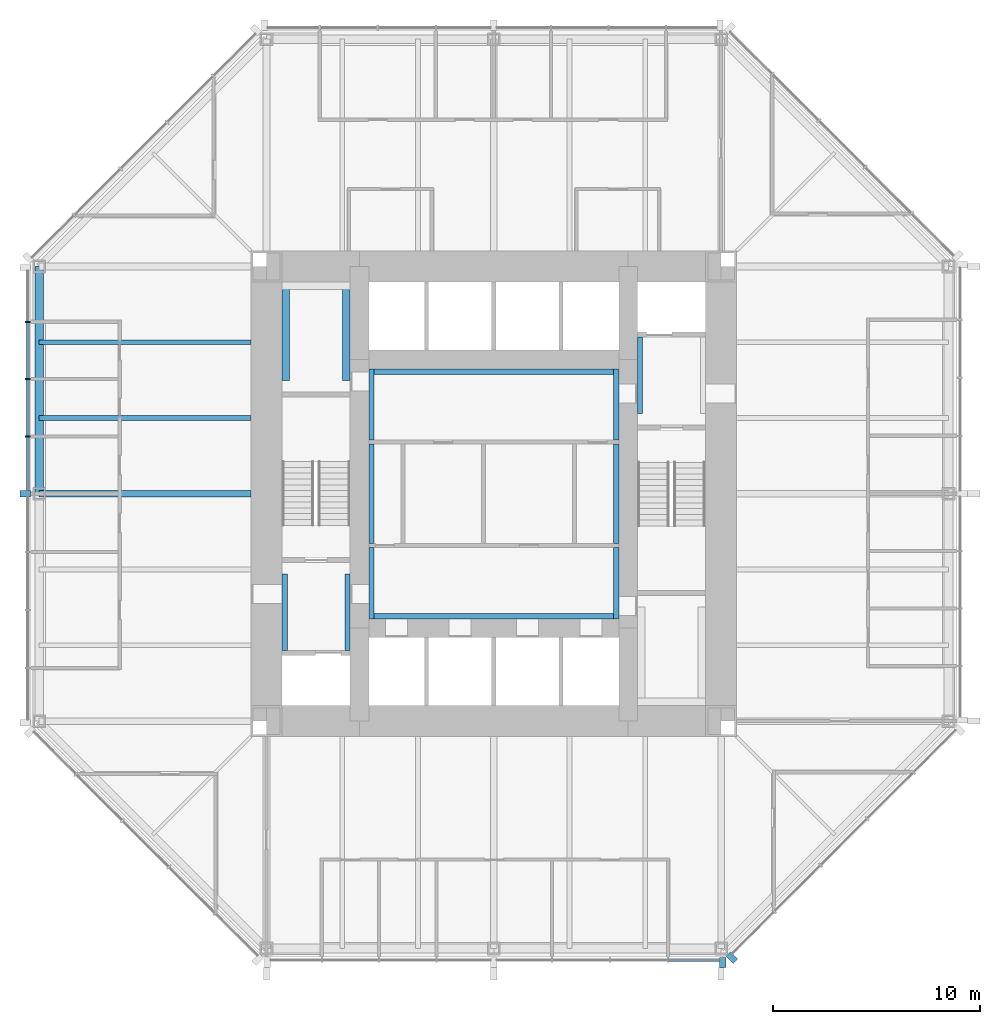
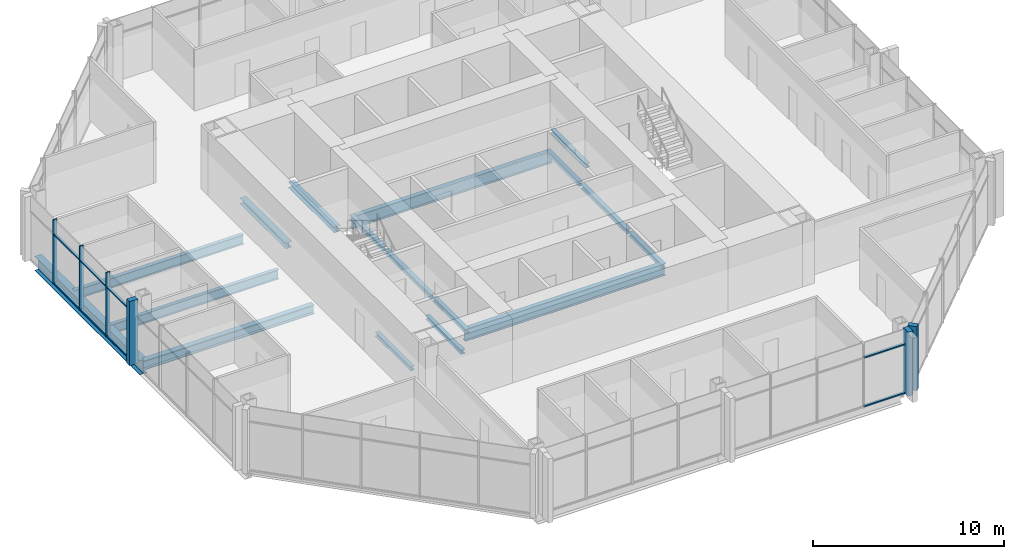
# One storey, part 3 of 12: 17 beams, 14 members, 3 elements without a shape of their own.
"""IFC4 building model written with IfcOpenShell, lengths in metres."""

from ifc_helpers import new_model, si_unit, direction, frame, origin, origin_2d, place, context, subcontext, project, spatial, rectangle, i_section, extrude, material, material_profile, profile_set, type_object, element, aggregate, save


model = new_model("IFC4")

# Units and contexts
model_context = context("Model", 3, precision=1e-05, world=origin(), true_north=direction((0.0, 1.0)))
body_context = subcontext(model_context, "Body", "Model", "MODEL_VIEW")
ifc_project = project(units=[si_unit("LENGTHUNIT", "METRE"), si_unit("AREAUNIT", "SQUARE_METRE"), si_unit("VOLUMEUNIT", "CUBIC_METRE"), si_unit("PLANEANGLEUNIT", "RADIAN"), si_unit("MASSUNIT", "GRAM", prefix="KILO")], contexts=[model_context])

# Site, building, storey
site_placement = place(None, origin())
site = spatial("IfcSite", under=ifc_project, at=site_placement, CompositionType="ELEMENT")
building_placement = place(site_placement, origin())
building = spatial("IfcBuilding", under=site, at=building_placement, Name="Trevanion Tower", CompositionType="ELEMENT")
storey_placement = place(building_placement, frame((0.0, 0.0, 170.5)))
storey = spatial("IfcBuildingStorey", under=building, at=storey_placement, Name="L40", CompositionType="ELEMENT", Elevation=170.5)

# Beams
ifc_material_1 = material(Name="Steel ASTM A992 Grade 50", Category="steel")
ifc_material_profile_1 = material_profile(ifc_material_1, i_section(OverallWidth=0.22900390625, OverallDepth=0.612060546875, WebThickness=0.011962890625, FlangeThickness=0.01953125, at=origin_2d()), Name="W24X84")
ifc_profile_set_1 = profile_set([ifc_material_profile_1], Name="Steel ASTM A992 Grade 50")
beam_type_1 = type_object("IfcBeamType", Name="B7 W24X84", PredefinedType="BEAM", material=ifc_profile_set_1)
for number, where, z_axis, x_axis, name in (
    (1, (-11.75, 7.333251953125, -0.49609375), (-1.0, 0.0, 0.0), (0.0, -1.0, 0.0), "B7 L40"),
    (2, (-11.75, 3.666748046875, -0.49609375), (-1.0, 0.0, 0.0), (0.0, -1.0, 0.0), "B7 L40"),
):
    element("IfcBeam", number, at=place(storey_placement, frame(where, z_axis=z_axis, x_axis=x_axis)), inside=storey, type_object=beam_type_1, Name=name, PredefinedType="BEAM", context=body_context, shape_type="SweptSolid", body=[
        extrude(i_section(OverallWidth=0.22900390625, OverallDepth=0.612060546875, WebThickness=0.011962890625, FlangeThickness=0.01953125, at=origin_2d()), origin(), (0.0, 0.0, 1.0), 10.25),
    ])

# Curtain wall, members
ifc_material_2 = material(Name="Aluminium and glass", Category="aluminium")
curtain_wall_type = type_object("IfcCurtainWallType", Name="CW2 curtain wall", PredefinedType="USERDEFINED", material=ifc_material_2)
curtain_wall_1_placement = place(storey_placement, origin())
curtain_wall_1 = element("IfcCurtainWall", 3, at=curtain_wall_1_placement, inside=storey, type_object=curtain_wall_type, Name="CW2 L40 4", ObjectType="UNITISED CURTAIN WALL", PredefinedType="USERDEFINED")
ifc_material_3 = material(Name="Aluminium extrusion, anodised bronze", Category="aluminium")
ifc_material_profile_2 = material_profile(ifc_material_3, rectangle(XDim=0.074951171875, YDim=0.25, at=origin_2d()), Name="CW2 mullion")
ifc_profile_set_2 = profile_set([ifc_material_profile_2], Name="Aluminium extrusion, anodised bronze")
member_type_1 = type_object("IfcMemberType", Name="CW2 mullion", PredefinedType="MULLION", material=ifc_profile_set_2)
member_1_placement = place(storey_placement, frame((-22.550048828125, 8.323486328125, -0.18994140625), z_axis=(0.0, 0.0, 1.0), x_axis=(0.0, -1.0, 0.0)))
member_1 = element("IfcMember", 4, at=member_1_placement, type_object=member_type_1, Name="CW2 mullion 2", PredefinedType="MULLION", context=body_context, shape_type="SweptSolid", body=[
    extrude(rectangle(XDim=0.074951171875, YDim=0.25, at=origin_2d()), origin(), (0.0, 0.0, 1.0), 4.099853515625),
])
member_2_placement = place(storey_placement, frame((-22.550048828125, 5.548828125, -0.18994140625), z_axis=(0.0, 0.0, 1.0), x_axis=(0.0, -1.0, 0.0)))
member_2 = element("IfcMember", 5, at=member_2_placement, type_object=member_type_1, Name="CW2 mullion 3", PredefinedType="MULLION", context=body_context, shape_type="SweptSolid", body=[
    extrude(rectangle(XDim=0.074951171875, YDim=0.25, at=origin_2d()), origin(), (0.0, 0.0, 1.0), 4.099853515625),
])
member_3_placement = place(storey_placement, frame((-22.550048828125, 2.7744140625, -0.18994140625), z_axis=(0.0, 0.0, 1.0), x_axis=(0.0, -1.0, 0.0)))
member_3 = element("IfcMember", 6, at=member_3_placement, type_object=member_type_1, Name="CW2 mullion 4", PredefinedType="MULLION", context=body_context, shape_type="SweptSolid", body=[
    extrude(rectangle(XDim=0.074951171875, YDim=0.25, at=origin_2d()), origin(), (0.0, 0.0, 1.0), 4.099853515625),
])
ifc_material_4 = material(Name="Aluminium extrusion, anodised bronze", Category="aluminium")
ifc_material_profile_3 = material_profile(ifc_material_4, rectangle(XDim=0.300048828125, YDim=0.5, at=origin_2d()), Name="CW2 pier mullion")
ifc_profile_set_3 = profile_set([ifc_material_profile_3], Name="Aluminium extrusion, anodised bronze")
member_type_2 = type_object("IfcMemberType", Name="CW2 pier mullion", PredefinedType="MULLION", material=ifc_profile_set_3)
member_4_placement = place(storey_placement, frame((-22.675048828125, 0.0, -0.18994140625), z_axis=(0.0, 0.0, 1.0), x_axis=(0.0, -1.0, 0.0)))
member_4 = element("IfcMember", 7, at=member_4_placement, type_object=member_type_2, Name="CW2 pier mullion 5", PredefinedType="MULLION", context=body_context, shape_type="SweptSolid", body=[
    extrude(rectangle(XDim=0.300048828125, YDim=0.5, at=origin_2d()), origin(), (0.0, 0.0, 1.0), 4.099853515625),
])

# Curtain wall, member
curtain_wall_2_placement = place(storey_placement, origin())
curtain_wall_2 = element("IfcCurtainWall", 8, at=curtain_wall_2_placement, inside=storey, type_object=curtain_wall_type, Name="CW2 L40 6", ObjectType="UNITISED CURTAIN WALL", PredefinedType="USERDEFINED")
member_5_placement = place(storey_placement, frame((11.077880859375, -22.675048828125, -0.18994140625), z_axis=(0.0, 0.0, 1.0), x_axis=(1.0, 0.0, 0.0)))
member_5 = element("IfcMember", 9, at=member_5_placement, type_object=member_type_2, Name="CW2 pier mullion 9", PredefinedType="MULLION", context=body_context, shape_type="SweptSolid", body=[
    extrude(rectangle(XDim=0.300048828125, YDim=0.5, at=origin_2d()), origin(), (0.0, 0.0, 1.0), 4.099853515625),
])

curtain_wall_3_placement = place(storey_placement, origin())
curtain_wall_3 = element("IfcCurtainWall", 10, at=curtain_wall_3_placement, inside=storey, type_object=curtain_wall_type, Name="CW2 L40 7", ObjectType="UNITISED CURTAIN WALL", PredefinedType="USERDEFINED")
member_6_placement = place(storey_placement, frame((11.51416015625, -22.4404296875, -0.18994140625), z_axis=(0.0, 0.0, 1.0), x_axis=(0.707106781187, 0.707106781187, 0.0)))
member_6 = element("IfcMember", 11, at=member_6_placement, type_object=member_type_2, Name="CW2 pier mullion 1", PredefinedType="MULLION", context=body_context, shape_type="SweptSolid", body=[
    extrude(rectangle(XDim=0.300048828125, YDim=0.5, at=origin_2d()), origin(), (0.0, 0.0, 1.0), 4.099853515625),
])
aggregate(curtain_wall_3, [member_6])

# Member
ifc_material_5 = material(Name="Aluminium extrusion, anodised bronze", Category="aluminium")
ifc_material_profile_4 = material_profile(ifc_material_5, rectangle(XDim=0.14990234375, YDim=0.074951171875, at=origin_2d()), Name="CW2 transom")
ifc_profile_set_4 = profile_set([ifc_material_profile_4], Name="Aluminium extrusion, anodised bronze")
member_type_3 = type_object("IfcMemberType", Name="CW2 transom", PredefinedType="USERDEFINED", material=ifc_profile_set_4)
member_7_placement = place(storey_placement, frame((-22.550048828125, 8.285888671875, -0.152587890625), z_axis=(0.0, -1.0, 0.0), x_axis=(1.0, 0.0, 0.0)))
member_7 = element("IfcMember", 12, at=member_7_placement, type_object=member_type_3, Name="CW2 transom 2.1", ObjectType="TRANSOM", PredefinedType="USERDEFINED", context=body_context, shape_type="SweptSolid", body=[
    extrude(rectangle(XDim=0.14990234375, YDim=0.074951171875, at=origin_2d()), origin(), (0.0, 0.0, 1.0), 2.699462890625),
])

member_8_placement = place(storey_placement, frame((-22.550048828125, 8.285888671875, 2.9599609375), z_axis=(0.0, -1.0, 0.0), x_axis=(1.0, 0.0, 0.0)))
member_8 = element("IfcMember", 13, at=member_8_placement, type_object=member_type_3, Name="CW2 transom 2.2", ObjectType="TRANSOM", PredefinedType="USERDEFINED", context=body_context, shape_type="SweptSolid", body=[
    extrude(rectangle(XDim=0.14990234375, YDim=0.074951171875, at=origin_2d()), origin(), (0.0, 0.0, 1.0), 2.699462890625),
])

member_9_placement = place(storey_placement, frame((-22.550048828125, 5.511474609375, -0.152587890625), z_axis=(0.0, -1.0, 0.0), x_axis=(1.0, 0.0, 0.0)))
member_9 = element("IfcMember", 14, at=member_9_placement, type_object=member_type_3, Name="CW2 transom 3.1", ObjectType="TRANSOM", PredefinedType="USERDEFINED", context=body_context, shape_type="SweptSolid", body=[
    extrude(rectangle(XDim=0.14990234375, YDim=0.074951171875, at=origin_2d()), origin(), (0.0, 0.0, 1.0), 2.699462890625),
])

member_10_placement = place(storey_placement, frame((-22.550048828125, 5.511474609375, 2.9599609375), z_axis=(0.0, -1.0, 0.0), x_axis=(1.0, 0.0, 0.0)))
member_10 = element("IfcMember", 15, at=member_10_placement, type_object=member_type_3, Name="CW2 transom 3.2", ObjectType="TRANSOM", PredefinedType="USERDEFINED", context=body_context, shape_type="SweptSolid", body=[
    extrude(rectangle(XDim=0.14990234375, YDim=0.074951171875, at=origin_2d()), origin(), (0.0, 0.0, 1.0), 2.699462890625),
])

member_11_placement = place(storey_placement, frame((-22.550048828125, 2.737060546875, -0.152587890625), z_axis=(0.0, -1.0, 0.0), x_axis=(1.0, 0.0, 0.0)))
member_11 = element("IfcMember", 16, at=member_11_placement, type_object=member_type_3, Name="CW2 transom 4.1", ObjectType="TRANSOM", PredefinedType="USERDEFINED", context=body_context, shape_type="SweptSolid", body=[
    extrude(rectangle(XDim=0.14990234375, YDim=0.074951171875, at=origin_2d()), origin(), (0.0, 0.0, 1.0), 2.587158203125),
])

member_12_placement = place(storey_placement, frame((-22.550048828125, 2.737060546875, 2.9599609375), z_axis=(0.0, -1.0, 0.0), x_axis=(1.0, 0.0, 0.0)))
member_12 = element("IfcMember", 17, at=member_12_placement, type_object=member_type_3, Name="CW2 transom 4.2", ObjectType="TRANSOM", PredefinedType="USERDEFINED", context=body_context, shape_type="SweptSolid", body=[
    extrude(rectangle(XDim=0.14990234375, YDim=0.074951171875, at=origin_2d()), origin(), (0.0, 0.0, 1.0), 2.587158203125),
])

aggregate(curtain_wall_1, [member_1, member_2, member_3, member_4, member_7, member_8, member_9, member_10, member_11, member_12])

member_13_placement = place(storey_placement, frame((8.45849609375, -22.550048828125, -0.152587890625), z_axis=(1.0, 0.0, 0.0), x_axis=(0.0, 1.0, 0.0)))
member_13 = element("IfcMember", 18, at=member_13_placement, type_object=member_type_3, Name="CW2 transom 8.1", ObjectType="TRANSOM", PredefinedType="USERDEFINED", context=body_context, shape_type="SweptSolid", body=[
    extrude(rectangle(XDim=0.14990234375, YDim=0.074951171875, at=origin_2d()), origin(), (0.0, 0.0, 1.0), 2.46923828125),
])

member_14_placement = place(storey_placement, frame((8.45849609375, -22.550048828125, 2.9599609375), z_axis=(1.0, 0.0, 0.0), x_axis=(0.0, 1.0, 0.0)))
member_14 = element("IfcMember", 19, at=member_14_placement, type_object=member_type_3, Name="CW2 transom 8.2", ObjectType="TRANSOM", PredefinedType="USERDEFINED", context=body_context, shape_type="SweptSolid", body=[
    extrude(rectangle(XDim=0.14990234375, YDim=0.074951171875, at=origin_2d()), origin(), (0.0, 0.0, 1.0), 2.46923828125),
])

aggregate(curtain_wall_2, [member_5, member_13, member_14])

# Beams
ifc_material_6 = material(Name="Steel ASTM A992 Grade 50", Category="steel")
ifc_material_profile_5 = material_profile(ifc_material_6, i_section(OverallWidth=0.320068359375, OverallDepth=0.584228515625, WebThickness=0.023193359375, FlangeThickness=0.04150390625, at=origin_2d()), Name="W21X201")
ifc_profile_set_5 = profile_set([ifc_material_profile_5], Name="Steel ASTM A992 Grade 50")
beam_type_2 = type_object("IfcBeamType", Name="G4 W21X201", PredefinedType="BEAM", material=ifc_profile_set_5)
beam_1_placement = place(storey_placement, frame((-11.75, 0.0, -0.482177734375), z_axis=(-1.0, 0.0, 0.0), x_axis=(0.0, -1.0, 0.0)))
element("IfcBeam", 20, at=beam_1_placement, inside=storey, type_object=beam_type_2, Name="G4 L40", PredefinedType="BEAM", context=body_context, shape_type="SweptSolid", body=[
    extrude(i_section(OverallWidth=0.320068359375, OverallDepth=0.584228515625, WebThickness=0.023193359375, FlangeThickness=0.04150390625, at=origin_2d()), origin(), (0.0, 0.0, 1.0), 10.25),
])
ifc_material_7 = material(Name="Steel ASTM A992 Grade 50", Category="steel")
ifc_material_profile_6 = material_profile(ifc_material_7, i_section(OverallWidth=0.256591796875, OverallDepth=0.26416015625, WebThickness=0.011962890625, FlangeThickness=0.01953125, at=origin_2d()), Name="W10X68")
ifc_profile_set_6 = profile_set([ifc_material_profile_6], Name="Steel ASTM A992 Grade 50")
beam_type_3 = type_object("IfcBeamType", Name="LB1 W10X68", PredefinedType="BEAM", material=ifc_profile_set_6)
for number, where, z_axis, x_axis, name in (
    (21, (-5.921630859375, 2.60009765625, -0.33203125), (0.0, 1.0, 0.0), (-1.0, 0.0, 0.0), "LB1 L40"),
    (22, (5.921630859375, 2.60009765625, -0.33203125), (0.0, 1.0, 0.0), (-1.0, 0.0, 0.0), "LB1 L40"),
    (23, (-5.921630859375, -6.050048828125, -0.33203125), (0.0, 1.0, 0.0), (-1.0, 0.0, 0.0), "LB1 L40"),
    (24, (5.921630859375, -6.050048828125, -0.33203125), (0.0, 1.0, 0.0), (-1.0, 0.0, 0.0), "LB1 L40"),
):
    element("IfcBeam", number, at=place(storey_placement, frame(where, z_axis=z_axis, x_axis=x_axis)), inside=storey, type_object=beam_type_3, Name=name, PredefinedType="BEAM", context=body_context, shape_type="SweptSolid", body=[
        extrude(i_section(OverallWidth=0.256591796875, OverallDepth=0.26416015625, WebThickness=0.011962890625, FlangeThickness=0.01953125, at=origin_2d()), origin(), (0.0, 0.0, 1.0), 3.449951171875),
    ])
for number, where, z_axis, x_axis, name in (
    (25, (7.078369140625, 3.875, -0.33203125), (0.0, 1.0, 0.0), (-1.0, 0.0, 0.0), "LB1 L40"),
    (26, (-10.12158203125, -7.574951171875, -0.33203125), (0.0, 1.0, 0.0), (-1.0, 0.0, 0.0), "LB1 L40"),
    (27, (-7.078369140625, -7.574951171875, -0.33203125), (0.0, 1.0, 0.0), (-1.0, 0.0, 0.0), "LB1 L40"),
):
    element("IfcBeam", number, at=place(storey_placement, frame(where, z_axis=z_axis, x_axis=x_axis)), inside=storey, type_object=beam_type_3, Name=name, PredefinedType="BEAM", context=body_context, shape_type="SweptSolid", body=[
        extrude(i_section(OverallWidth=0.256591796875, OverallDepth=0.26416015625, WebThickness=0.011962890625, FlangeThickness=0.01953125, at=origin_2d()), origin(), (0.0, 0.0, 1.0), 3.699951171875),
    ])
for number, where, z_axis, x_axis, name in (
    (28, (-5.921630859375, -2.39990234375, -0.33203125), (0.0, 1.0, 0.0), (-1.0, 0.0, 0.0), "LB1 L40"),
    (29, (5.921630859375, -2.39990234375, -0.33203125), (0.0, 1.0, 0.0), (-1.0, 0.0, 0.0), "LB1 L40"),
):
    element("IfcBeam", number, at=place(storey_placement, frame(where, z_axis=z_axis, x_axis=x_axis)), inside=storey, type_object=beam_type_3, Name=name, PredefinedType="BEAM", context=body_context, shape_type="SweptSolid", body=[
        extrude(i_section(OverallWidth=0.256591796875, OverallDepth=0.26416015625, WebThickness=0.011962890625, FlangeThickness=0.01953125, at=origin_2d()), origin(), (0.0, 0.0, 1.0), 4.7998046875),
    ])
ifc_material_8 = material(Name="Steel ASTM A992 Grade 50", Category="steel")
ifc_material_profile_7 = material_profile(ifc_material_8, i_section(OverallWidth=0.373291015625, OverallDepth=0.373291015625, WebThickness=0.016357421875, FlangeThickness=0.026123046875, at=origin_2d()), Name="W14X132")
ifc_profile_set_7 = profile_set([ifc_material_profile_7], Name="Steel ASTM A992 Grade 50")
beam_type_4 = type_object("IfcBeamType", Name="LB2 W14X132", PredefinedType="BEAM", material=ifc_profile_set_7)
for number, where, z_axis, x_axis, name in (
    (30, (-10.063232421875, 5.47509765625, -0.38671875), (0.0, 1.0, 0.0), (-1.0, 0.0, 0.0), "LB2 L40"),
    (31, (-7.13671875, 5.47509765625, -0.38671875), (0.0, 1.0, 0.0), (-1.0, 0.0, 0.0), "LB2 L40"),
):
    element("IfcBeam", number, at=place(storey_placement, frame(where, z_axis=z_axis, x_axis=x_axis)), inside=storey, type_object=beam_type_4, Name=name, PredefinedType="BEAM", context=body_context, shape_type="SweptSolid", body=[
        extrude(i_section(OverallWidth=0.373291015625, OverallDepth=0.373291015625, WebThickness=0.016357421875, FlangeThickness=0.026123046875, at=origin_2d()), origin(), (0.0, 0.0, 1.0), 4.77490234375),
    ])
ifc_material_9 = material(Name="Steel ASTM A992 Grade 50", Category="steel")
ifc_material_profile_8 = material_profile(ifc_material_9, i_section(OverallWidth=0.2666015625, OverallDepth=0.76953125, WebThickness=0.015625, FlangeThickness=0.025390625, at=origin_2d()), Name="W30X132")
ifc_profile_set_8 = profile_set([ifc_material_profile_8], Name="Steel ASTM A992 Grade 50")
beam_type_5 = type_object("IfcBeamType", Name="LB3 W30X132", PredefinedType="BEAM", material=ifc_profile_set_8)
for number, where, z_axis, x_axis, name in (
    (32, (-6.050048828125, 5.91650390625, -0.584716796875), (1.0, 0.0, 0.0), (0.0, 1.0, 0.0), "LB3 L40"),
    (33, (-6.050048828125, -5.91650390625, -0.584716796875), (1.0, 0.0, 0.0), (0.0, 1.0, 0.0), "LB3 L40"),
):
    element("IfcBeam", number, at=place(storey_placement, frame(where, z_axis=z_axis, x_axis=x_axis)), inside=storey, type_object=beam_type_5, Name=name, PredefinedType="BEAM", context=body_context, shape_type="SweptSolid", body=[
        extrude(i_section(OverallWidth=0.2666015625, OverallDepth=0.76953125, WebThickness=0.015625, FlangeThickness=0.025390625, at=origin_2d()), origin(), (0.0, 0.0, 1.0), 12.10009765625),
    ])
ifc_material_10 = material(Name="Steel ASTM A992 Grade 50", Category="steel")
ifc_material_profile_9 = material_profile(ifc_material_10, i_section(OverallWidth=0.419189453125, OverallDepth=0.927001953125, WebThickness=0.019287109375, FlangeThickness=0.031982421875, at=origin_2d()), Name="W36X231")
ifc_profile_set_9 = profile_set([ifc_material_profile_9], Name="Steel ASTM A992 Grade 50")
beam_type_6 = type_object("IfcBeamType", Name="SB4 W36X231", PredefinedType="SPANDREL", material=ifc_profile_set_9)
beam_2_placement = place(storey_placement, frame((-22.0, 11.0, -0.653564453125), z_axis=(0.0, -1.0, 0.0), x_axis=(1.0, 0.0, 0.0)))
element("IfcBeam", 34, at=beam_2_placement, inside=storey, type_object=beam_type_6, Name="SB4 L40", PredefinedType="SPANDREL", context=body_context, shape_type="SweptSolid", body=[
    extrude(i_section(OverallWidth=0.419189453125, OverallDepth=0.927001953125, WebThickness=0.019287109375, FlangeThickness=0.031982421875, at=origin_2d()), origin(), (0.0, 0.0, 1.0), 11.0),
])

save(model, "model.ifc")
